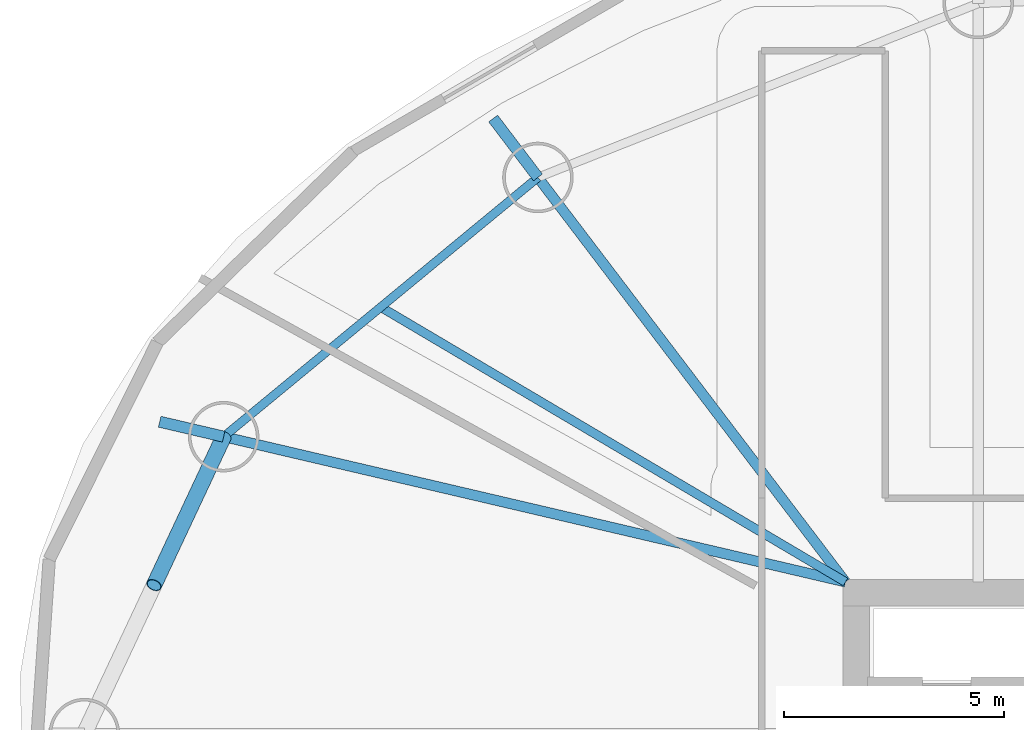
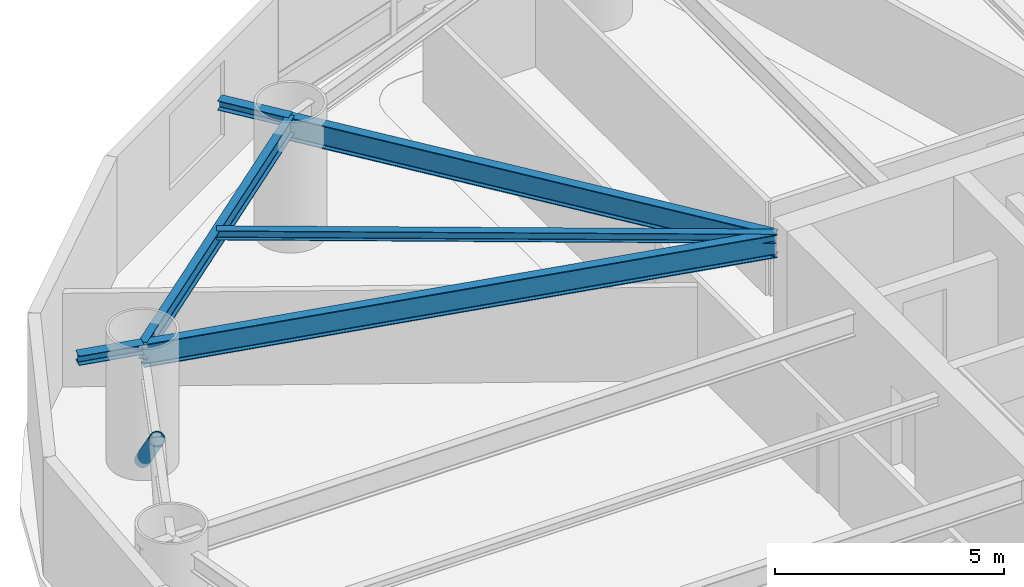
# One storey, part 11 of 25: 6 beams, 1 member.
"""IFC4 building model written with IfcOpenShell, lengths in metres."""

from ifc_helpers import new_model, si_unit, direction, frame, origin, origin_2d, place, context, subcontext, project, spatial, hollow_circle, i_section, extrude, material, material_profile, profile_set, type_object, element, save


model = new_model("IFC4")

# Units and contexts
model_context = context("Model", 3, precision=1e-05, world=origin(), true_north=direction((0.0, 1.0)))
body_context = subcontext(model_context, "Body", "Model", "MODEL_VIEW")
ifc_project = project(units=[si_unit("LENGTHUNIT", "METRE"), si_unit("AREAUNIT", "SQUARE_METRE"), si_unit("VOLUMEUNIT", "CUBIC_METRE"), si_unit("PLANEANGLEUNIT", "RADIAN"), si_unit("MASSUNIT", "GRAM", prefix="KILO")], contexts=[model_context])

# Site, building, storey
site_placement = place(None, origin())
site = spatial("IfcSite", under=ifc_project, at=site_placement, CompositionType="ELEMENT")
building_placement = place(site_placement, origin())
building = spatial("IfcBuilding", under=site, at=building_placement, Name="Bramvorn Convention Spire", CompositionType="ELEMENT")
storey_placement = place(building_placement, frame((0.0, 0.0, 93.89990234375)))
storey = spatial("IfcBuildingStorey", under=building, at=storey_placement, Name="L22", CompositionType="ELEMENT", Elevation=93.89990234375)

# Beams
ifc_material = material(Name="Steel CSA G40.21 Grade 350 (350W)", Category="steel")
ifc_material_profile_1 = material_profile(ifc_material, i_section(OverallWidth=0.201904296875, OverallDepth=0.2470703125, WebThickness=0.00732421875, FlangeThickness=0.010986328125, FilletRadius=0.011962890625, at=origin_2d()))
ifc_profile_set_1 = profile_set([ifc_material_profile_1], Name="Steel CSA G40.21 Grade 350 (350W) - W250X49")
beam_type_1 = type_object("IfcBeamType", Name="BM-W250X49", PredefinedType="JOIST", material=ifc_profile_set_1)
beam_1_placement = place(storey_placement, frame((26.75, 33.449951171875, 3.026611328125), z_axis=(-0.860664556648, 0.509172388223, 0.0), x_axis=(-0.509172388223, -0.860664556648, 0.0)))
element("IfcBeam", 1, at=beam_1_placement, inside=storey, type_object=beam_type_1, Name="L22 composite floor joist 07", PredefinedType="JOIST", context=body_context, shape_type="SweptSolid", body=[
    extrude(i_section(OverallWidth=0.201904296875, OverallDepth=0.2470703125, WebThickness=0.00732421875, FlangeThickness=0.010986328125, FilletRadius=0.011962890625, at=origin_2d()), origin(), (0.0, 0.0, 1.0), 12.25048828125),
])
ifc_material_profile_2 = material_profile(ifc_material, i_section(OverallWidth=0.25390625, OverallDepth=0.2529296875, WebThickness=0.008544921875, FlangeThickness=0.01416015625, FilletRadius=0.011962890625, at=origin_2d()))
ifc_profile_set_2 = profile_set([ifc_material_profile_2], Name="Steel CSA G40.21 Grade 350 (350W) - W250X73")
beam_type_2 = type_object("IfcBeamType", Name="BM-W250X73", PredefinedType="BEAM", material=ifc_profile_set_2)
beam_2_placement = place(storey_placement, frame((19.772216796875, 42.628662109375, 3.023681640625), z_axis=(-0.605127493328, 0.796128580581, 0.0), x_axis=(-0.796128580581, -0.605127493328, 0.0)))
element("IfcBeam", 2, at=beam_2_placement, inside=storey, type_object=beam_type_2, Name="L22 slab-edge cantilever tip beam MC07", PredefinedType="BEAM", context=body_context, shape_type="SweptSolid", body=[
    extrude(i_section(OverallWidth=0.25390625, OverallDepth=0.2529296875, WebThickness=0.008544921875, FlangeThickness=0.01416015625, FilletRadius=0.011962890625, at=origin_2d()), origin(), (0.0, 0.0, 1.0), 1.6796875),
])
beam_3_placement = place(storey_placement, frame((12.64111328125, 36.746337890625, 3.023681640625), z_axis=(-0.973763868542, 0.227560823348, 0.0), x_axis=(-0.227560823348, -0.973763868542, 0.0)))
element("IfcBeam", 3, at=beam_3_placement, inside=storey, type_object=beam_type_2, Name="L22 slab-edge cantilever tip beam MC08", PredefinedType="BEAM", context=body_context, shape_type="SweptSolid", body=[
    extrude(i_section(OverallWidth=0.25390625, OverallDepth=0.2529296875, WebThickness=0.008544921875, FlangeThickness=0.01416015625, FilletRadius=0.011962890625, at=origin_2d()), origin(), (0.0, 0.0, 1.0), 1.4912109375),
])
ifc_material_profile_3 = material_profile(ifc_material, i_section(OverallWidth=0.194091796875, OverallDepth=0.468994140625, WebThickness=0.0126953125, FlangeThickness=0.0205078125, FilletRadius=0.01806640625, at=origin_2d()))
ifc_profile_set_3 = profile_set([ifc_material_profile_3], Name="Steel CSA G40.21 Grade 350 (350W) - W460X106")
beam_type_3 = type_object("IfcBeamType", Name="BM-W460X106", PredefinedType="SPANDREL", material=ifc_profile_set_3)
beam_4_placement = place(storey_placement, frame((19.772216796875, 42.628662109375, 2.91552734375), z_axis=(-0.771417680101, -0.636329130896, 0.0), x_axis=(0.636329130896, -0.771417680101, 0.0)))
element("IfcBeam", 4, at=beam_4_placement, inside=storey, type_object=beam_type_3, Name="L22 mega-column ring beam 07", PredefinedType="SPANDREL", context=body_context, shape_type="SweptSolid", body=[
    extrude(i_section(OverallWidth=0.194091796875, OverallDepth=0.468994140625, WebThickness=0.0126953125, FlangeThickness=0.0205078125, FilletRadius=0.01806640625, at=origin_2d()), origin(), (0.0, 0.0, 1.0), 9.244140625),
])
ifc_material_profile_4 = material_profile(ifc_material, i_section(OverallWidth=0.22998046875, OverallDepth=0.616943359375, WebThickness=0.01318359375, FlangeThickness=0.022216796875, FilletRadius=0.02001953125, at=origin_2d()))
ifc_profile_set_4 = profile_set([ifc_material_profile_4], Name="Steel CSA G40.21 Grade 350 (350W) - W610X140")
beam_type_4 = type_object("IfcBeamType", Name="BM-W610X140", PredefinedType="BEAM", material=ifc_profile_set_4)
beam_5_placement = place(storey_placement, frame((26.75, 33.449951171875, 2.841552734375), z_axis=(-0.605191175112, 0.796080172826, 0.0), x_axis=(-0.796080172826, -0.605191175112, 0.0)))
element("IfcBeam", 5, at=beam_5_placement, inside=storey, type_object=beam_type_4, Name="L22 radial floor girder MC07", PredefinedType="BEAM", context=body_context, shape_type="SweptSolid", body=[
    extrude(i_section(OverallWidth=0.22998046875, OverallDepth=0.616943359375, WebThickness=0.01318359375, FlangeThickness=0.022216796875, FilletRadius=0.02001953125, at=origin_2d()), origin(), (0.0, 0.0, 1.0), 11.52978515625),
])
beam_6_placement = place(storey_placement, frame((26.75, 33.449951171875, 2.841552734375), z_axis=(-0.973775294862, 0.227511923018, 0.0), x_axis=(-0.227511923018, -0.973775294862, 0.0)))
element("IfcBeam", 6, at=beam_6_placement, inside=storey, type_object=beam_type_4, Name="L22 radial floor girder MC08", PredefinedType="BEAM", context=body_context, shape_type="SweptSolid", body=[
    extrude(i_section(OverallWidth=0.22998046875, OverallDepth=0.616943359375, WebThickness=0.01318359375, FlangeThickness=0.022216796875, FilletRadius=0.02001953125, at=origin_2d()), origin(), (0.0, 0.0, 1.0), 14.48876953125),
])

# Member
ifc_material_profile_5 = material_profile(ifc_material, hollow_circle(Radius=0.177734375, WallThickness=0.015869140625, at=origin_2d()))
ifc_profile_set_5 = profile_set([ifc_material_profile_5], Name="Steel CSA G40.21 Grade 350 (350W) - CHS356X16")
member_type = type_object("IfcMemberType", Name="MBR-CHS356X16", PredefinedType="BRACE", material=ifc_profile_set_5)
member_placement = place(storey_placement, frame((12.64111328125, 36.746337890625, 0.0), z_axis=(-0.324125542011, -0.691013823536, 0.646097925007), x_axis=(0.905351753695, -0.424662456643, 0.0)))
element("IfcMember", 7, at=member_placement, inside=storey, type_object=member_type, Name="L22 perimeter Gothic lancet brace 8A", PredefinedType="BRACE", context=body_context, shape_type="SweptSolid", body=[
    extrude(hollow_circle(Radius=0.177734375, WallThickness=0.015869140625, at=origin_2d()), origin(), (0.0, 0.0, 1.0), 4.875732421875),
])

save(model, "model.ifc")
